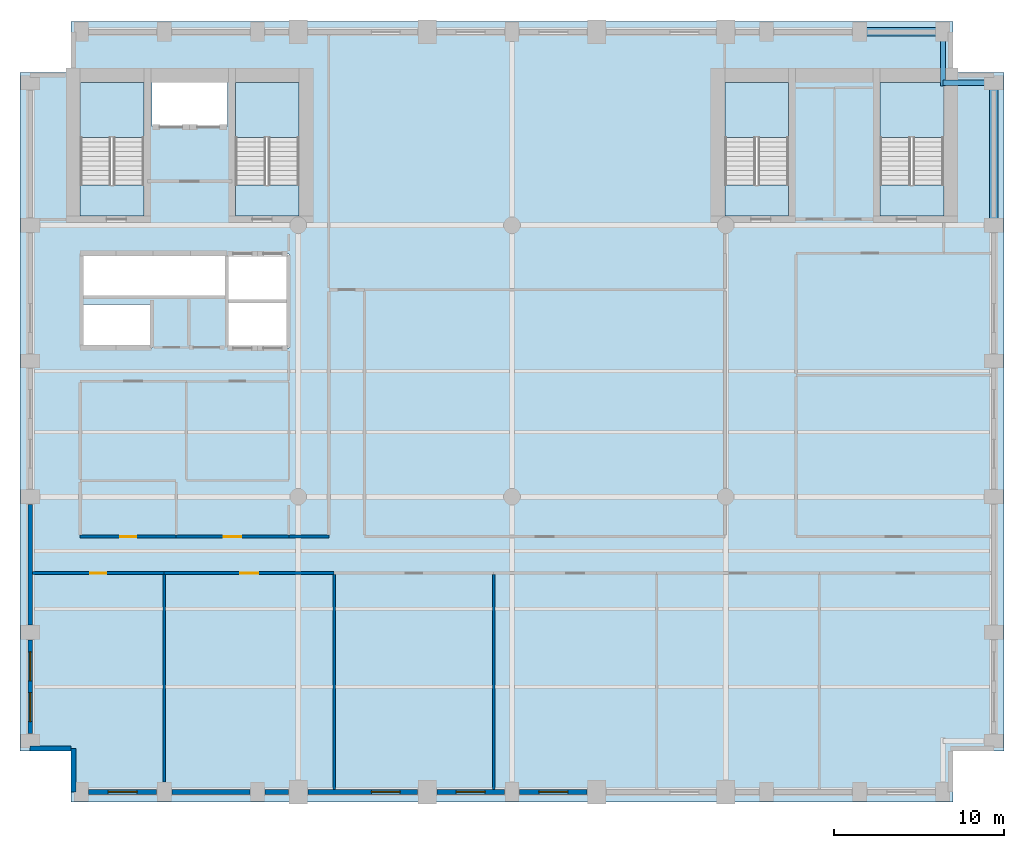
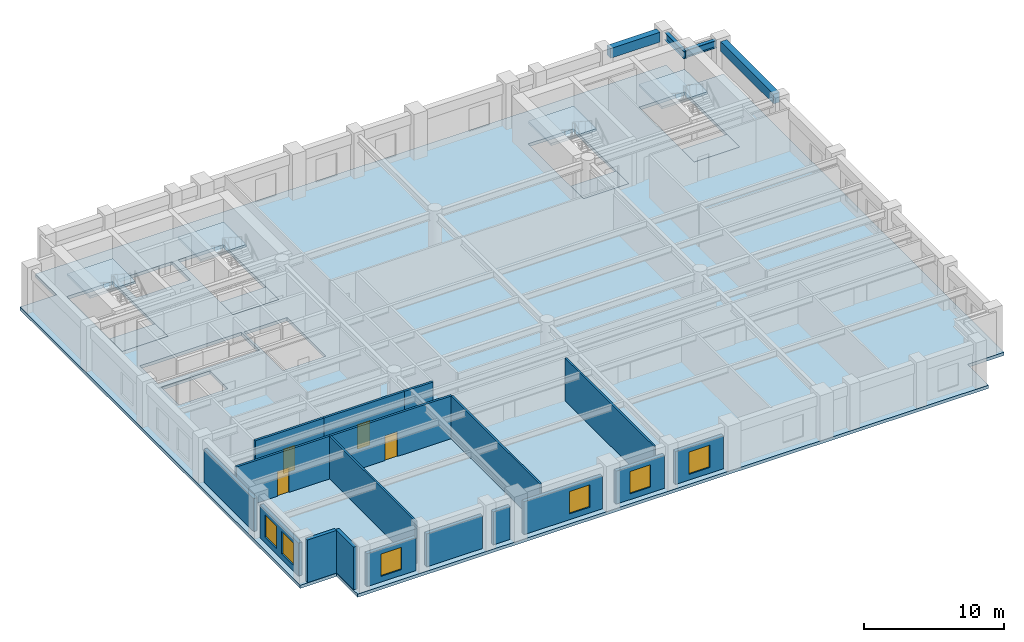
# One storey, part 2 of 8: 18 walls, 9 slabs, 6 windows, 4 beams, 4 doors, 10 openings, 4 elements without a shape of their own.
"""IFC4 building model written with IfcOpenShell, lengths in metres."""

from ifc_helpers import new_model, si_unit, direction, frame, frame_2d, origin, origin_2d, place, context, subcontext, project, spatial, polyline, rectangle, i_section, outline, extrude, material, layer, layer_set, material_profile, profile_set, type_object, element, fill, aggregate, save


model = new_model("IFC4")

# Units and contexts
model_context = context("Model", 3, precision=1e-05, world=origin(), true_north=direction((0.0, 1.0)))
body_context = subcontext(model_context, "Body", "Model", "MODEL_VIEW")
ifc_project = project(units=[si_unit("LENGTHUNIT", "METRE"), si_unit("AREAUNIT", "SQUARE_METRE"), si_unit("VOLUMEUNIT", "CUBIC_METRE"), si_unit("PLANEANGLEUNIT", "RADIAN"), si_unit("MASSUNIT", "GRAM", prefix="KILO")], contexts=[model_context])

# Site, building, storey
site_placement = place(None, origin())
site = spatial("IfcSite", under=ifc_project, at=site_placement, CompositionType="ELEMENT")
building_placement = place(site_placement, origin())
building = spatial("IfcBuilding", under=site, at=building_placement, Name="Sulina Concourse Tower", CompositionType="ELEMENT")
storey_placement = place(building_placement, frame((0.0, 0.0, 104.60009765625)))
storey = spatial("IfcBuildingStorey", under=building, at=storey_placement, Name="L25", CompositionType="ELEMENT", Elevation=104.60009765625)

# Beams
ifc_material_1 = material(Name="Steel S355", Category="steel")
ifc_material_profile_1 = material_profile(ifc_material_1, i_section(OverallWidth=0.300048828125, OverallDepth=0.64990234375, WebThickness=0.01611328125, FlangeThickness=0.031005859375, at=origin_2d()), Name="HE 650 B")
ifc_profile_set_1 = profile_set([ifc_material_profile_1], Name="Steel S355")
beam_type_1 = type_object("IfcBeamType", Name="Floor Primary Girder Zone 2 HE650B", PredefinedType="BEAM", material=ifc_profile_set_1)
beam_1_placement = place(storey_placement, frame((54.39990234375, 42.39990234375, 3.39990234375), z_axis=(1.0, 0.0, 0.0), x_axis=(0.0, 1.0, 0.0)))
element("IfcBeam", 1, at=beam_1_placement, inside=storey, type_object=beam_type_1, Name="TIE-NE-L25", PredefinedType="BEAM", context=body_context, shape_type="SweptSolid", body=[
    extrude(i_section(OverallWidth=0.300048828125, OverallDepth=0.64990234375, WebThickness=0.01611328125, FlangeThickness=0.031005859375, at=origin_2d()), origin(), (0.0, 0.0, 1.0), 2.59521484375),
])
beam_2_placement = place(storey_placement, frame((54.39990234375, 42.199951171875, 3.39990234375), z_axis=(0.0, 1.0, 0.0), x_axis=(-1.0, 0.0, 0.0)))
element("IfcBeam", 2, at=beam_2_placement, inside=storey, type_object=beam_type_1, Name="TIE-NEN-L25", PredefinedType="BEAM", context=body_context, shape_type="SweptSolid", body=[
    extrude(i_section(OverallWidth=0.300048828125, OverallDepth=0.64990234375, WebThickness=0.01611328125, FlangeThickness=0.031005859375, at=origin_2d()), origin(), (0.0, 0.0, 1.0), 2.795166015625),
])
ifc_material_2 = material(Name="Precast concrete C50/60", Category="concrete")
ifc_material_profile_2 = material_profile(ifc_material_2, rectangle(XDim=0.5, YDim=0.85009765625, at=origin_2d()), Name="RC 500x850")
ifc_profile_set_2 = profile_set([ifc_material_profile_2], Name="Precast concrete C50/60")
beam_type_2 = type_object("IfcBeamType", Name="Lower Precast Spandrel Edge Beam 500x850", PredefinedType="BEAM", material=ifc_profile_set_2)
beam_3_placement = place(storey_placement, frame((49.905029296875, 45.39990234375, 3.2998046875), z_axis=(1.0, 0.0, 0.0), x_axis=(0.0, 1.0, 0.0)))
element("IfcBeam", 3, at=beam_3_placement, inside=storey, type_object=beam_type_2, Name="SP-N10-L25", PredefinedType="BEAM", context=body_context, shape_type="SweptSolid", body=[
    extrude(rectangle(XDim=0.5, YDim=0.85009765625, at=origin_2d()), origin(), (0.0, 0.0, 1.0), 4.090087890625),
])
beam_4_placement = place(storey_placement, frame((57.39990234375, 34.405029296875, 3.2998046875), z_axis=(0.0, 1.0, 0.0), x_axis=(-1.0, 0.0, 0.0)))
element("IfcBeam", 4, at=beam_4_placement, inside=storey, type_object=beam_type_2, Name="SP-E5-L25", PredefinedType="BEAM", context=body_context, shape_type="SweptSolid", body=[
    extrude(rectangle(XDim=0.5, YDim=0.85009765625, at=origin_2d()), origin(), (0.0, 0.0, 1.0), 7.590087890625),
])

# Slabs
ifc_material_3 = material(Name="Concrete C50/60", Category="concrete")
ifc_layer_1 = layer(ifc_material_3, 0.27490234375)
ifc_layer_set_1 = layer_set([ifc_layer_1], Name="Concrete C50/60")
slab_type_1 = type_object("IfcSlabType", Name="Mid-Rise Composite Floor Slab 275mm", PredefinedType="FLOOR", material=ifc_layer_set_1)
slab_1_placement = place(storey_placement, frame((0.0, 0.0, -0.275146484375)))
element("IfcSlab", 5, at=slab_1_placement, inside=storey, type_object=slab_type_1, Name="L25 structural floor slab", PredefinedType="FLOOR", context=body_context, shape_type="SweptSolid", body=[
    extrude(outline(polyline([(3.0, 0.0), (55.0, 0.0), (55.0, 3.0), (58.0, 3.0), (58.0, 43.0), (55.0, 43.0), (55.0, 46.0), (3.0, 46.0), (3.0, 43.0), (0.0, 43.0), (0.0, 3.0), (3.0, 3.0), (3.0, 0.0)]), holes=[polyline([(7.31005859375, 34.550048828125), (7.31005859375, 42.429931640625), (3.550048828125, 42.429931640625), (3.550048828125, 34.550048828125), (7.31005859375, 34.550048828125)]), polyline([(16.449951171875, 34.550048828125), (16.449951171875, 42.429931640625), (12.68994140625, 42.429931640625), (12.68994140625, 34.550048828125), (16.449951171875, 34.550048828125)]), polyline([(45.31005859375, 34.550048828125), (45.31005859375, 42.429931640625), (41.550048828125, 42.429931640625), (41.550048828125, 34.550048828125), (45.31005859375, 34.550048828125)]), polyline([(54.449951171875, 34.550048828125), (54.449951171875, 42.429931640625), (50.68994140625, 42.429931640625), (50.68994140625, 34.550048828125), (54.449951171875, 34.550048828125)]), polyline([(7.780029296875, 39.830078125), (12.219970703125, 39.830078125), (12.219970703125, 42.449951171875), (7.780029296875, 42.449951171875), (7.780029296875, 39.830078125)]), polyline([(3.739990234375, 26.780029296875), (7.77001953125, 26.780029296875), (7.77001953125, 29.320068359375), (3.739990234375, 29.320068359375), (3.739990234375, 26.780029296875)]), polyline([(3.739990234375, 29.780029296875), (12.10009765625, 29.780029296875), (12.10009765625, 32.3701171875), (3.739990234375, 32.3701171875), (3.739990234375, 29.780029296875)]), polyline([(12.280029296875, 26.780029296875), (15.85009765625, 26.780029296875), (15.85009765625, 32.320068359375), (12.280029296875, 32.320068359375), (12.280029296875, 26.780029296875)])]), origin(), (0.0, 0.0, 1.0), 0.275146484375),
])
ifc_material_4 = material(Name="Concrete C50/60", Category="concrete")
ifc_layer_2 = layer(ifc_material_4, 0.199951171875)
ifc_layer_set_2 = layer_set([ifc_layer_2], Name="Concrete C50/60")
slab_type_2 = type_object("IfcSlabType", Name="Primary Core Stair Landing Slab 200mm", PredefinedType="LANDING", material=ifc_layer_set_2)
slab_2_placement = place(storey_placement, frame((0.0, 0.0, -0.2001953125)))
element("IfcSlab", 6, at=slab_2_placement, inside=storey, type_object=slab_type_2, Name="L25 ST-1 floor landing slab", PredefinedType="LANDING", context=body_context, shape_type="SweptSolid", body=[
    extrude(outline(polyline([(7.31005859375, 34.550048828125), (7.31005859375, 36.375), (3.550048828125, 36.375), (3.550048828125, 34.550048828125), (7.31005859375, 34.550048828125)])), origin(), (0.0, 0.0, 1.0), 0.2001953125),
])
slab_3_placement = place(storey_placement, frame((0.0, 0.0, -0.2001953125)))
element("IfcSlab", 7, at=slab_3_placement, inside=storey, type_object=slab_type_2, Name="L25 ST-2 floor landing slab", PredefinedType="LANDING", context=body_context, shape_type="SweptSolid", body=[
    extrude(outline(polyline([(16.449951171875, 34.550048828125), (16.449951171875, 36.375), (12.68994140625, 36.375), (12.68994140625, 34.550048828125), (16.449951171875, 34.550048828125)])), origin(), (0.0, 0.0, 1.0), 0.2001953125),
])
slab_4_placement = place(storey_placement, frame((0.0, 0.0, -0.2001953125)))
element("IfcSlab", 8, at=slab_4_placement, inside=storey, type_object=slab_type_2, Name="L25 ST-3 floor landing slab", PredefinedType="LANDING", context=body_context, shape_type="SweptSolid", body=[
    extrude(outline(polyline([(45.31005859375, 34.550048828125), (45.31005859375, 36.375), (41.550048828125, 36.375), (41.550048828125, 34.550048828125), (45.31005859375, 34.550048828125)])), origin(), (0.0, 0.0, 1.0), 0.2001953125),
])
slab_5_placement = place(storey_placement, frame((0.0, 0.0, -0.2001953125)))
element("IfcSlab", 9, at=slab_5_placement, inside=storey, type_object=slab_type_2, Name="L25 ST-4 floor landing slab", PredefinedType="LANDING", context=body_context, shape_type="SweptSolid", body=[
    extrude(outline(polyline([(54.449951171875, 34.550048828125), (54.449951171875, 36.375), (50.68994140625, 36.375), (50.68994140625, 34.550048828125), (54.449951171875, 34.550048828125)])), origin(), (0.0, 0.0, 1.0), 0.2001953125),
])

# Stair, slab
ifc_material_5 = material(Name="Concrete C50/60", Category="concrete")
stair_type_1 = type_object("IfcStairType", Name="Primary Core Dog-Leg Exit Stair 1800mm", PredefinedType="HALF_TURN_STAIR", material=ifc_material_5)
stair_1_placement = place(storey_placement, origin())
stair_1 = element("IfcStair", 10, at=stair_1_placement, inside=storey, type_object=stair_type_1, Name="L25 ST-1", PredefinedType="HALF_TURN_STAIR")
slab_6_placement = place(storey_placement, frame((0.0, 0.0, 1.7998046875)))
slab_6 = element("IfcSlab", 11, at=slab_6_placement, type_object=slab_type_2, Name="ST-1 landing 1", PredefinedType="LANDING", context=body_context, shape_type="SweptSolid", body=[
    extrude(outline(polyline([(7.304931640625, 39.175048828125), (7.304931640625, 42.425048828125), (3.554931640625, 42.425048828125), (3.554931640625, 39.175048828125), (7.304931640625, 39.175048828125)])), origin(), (0.0, 0.0, 1.0), 0.2001953125),
])
aggregate(stair_1, [slab_6])

stair_2_placement = place(storey_placement, origin())
stair_2 = element("IfcStair", 12, at=stair_2_placement, inside=storey, type_object=stair_type_1, Name="L25 ST-2", PredefinedType="HALF_TURN_STAIR")
slab_7_placement = place(storey_placement, frame((0.0, 0.0, 1.7998046875)))
slab_7 = element("IfcSlab", 13, at=slab_7_placement, type_object=slab_type_2, Name="ST-2 landing 1", PredefinedType="LANDING", context=body_context, shape_type="SweptSolid", body=[
    extrude(outline(polyline([(16.445068359375, 39.175048828125), (16.445068359375, 42.425048828125), (12.695068359375, 42.425048828125), (12.695068359375, 39.175048828125), (16.445068359375, 39.175048828125)])), origin(), (0.0, 0.0, 1.0), 0.2001953125),
])
aggregate(stair_2, [slab_7])

ifc_material_6 = material(Name="Concrete C50/60", Category="concrete")
stair_type_2 = type_object("IfcStairType", Name="Portal & Podium Core Exit Stair 1820mm", PredefinedType="HALF_TURN_STAIR", material=ifc_material_6)
stair_3_placement = place(storey_placement, origin())
stair_3 = element("IfcStair", 14, at=stair_3_placement, inside=storey, type_object=stair_type_2, Name="L25 ST-3", PredefinedType="HALF_TURN_STAIR")
slab_8_placement = place(storey_placement, frame((0.0, 0.0, 1.7998046875)))
slab_8 = element("IfcSlab", 15, at=slab_8_placement, type_object=slab_type_2, Name="ST-3 landing 1", PredefinedType="LANDING", context=body_context, shape_type="SweptSolid", body=[
    extrude(outline(polyline([(45.304931640625, 39.175048828125), (45.304931640625, 42.425048828125), (41.554931640625, 42.425048828125), (41.554931640625, 39.175048828125), (45.304931640625, 39.175048828125)])), origin(), (0.0, 0.0, 1.0), 0.2001953125),
])
aggregate(stair_3, [slab_8])

stair_4_placement = place(storey_placement, origin())
stair_4 = element("IfcStair", 16, at=stair_4_placement, inside=storey, type_object=stair_type_2, Name="L25 ST-4", PredefinedType="HALF_TURN_STAIR")
slab_9_placement = place(storey_placement, frame((0.0, 0.0, 1.7998046875)))
slab_9 = element("IfcSlab", 17, at=slab_9_placement, type_object=slab_type_2, Name="ST-4 landing 1", PredefinedType="LANDING", context=body_context, shape_type="SweptSolid", body=[
    extrude(outline(polyline([(54.445068359375, 39.175048828125), (54.445068359375, 42.425048828125), (50.695068359375, 42.425048828125), (50.695068359375, 39.175048828125), (54.445068359375, 39.175048828125)])), origin(), (0.0, 0.0, 1.0), 0.2001953125),
])
aggregate(stair_4, [slab_9])

# Walls
ifc_material_7 = material(Name="Gypsum board on steel stud", Category="steel")
ifc_layer_3 = layer(ifc_material_7, 0.14990234375)
ifc_layer_set_3 = layer_set([ifc_layer_3], Name="Gypsum board on steel stud")
wall_type_1 = type_object("IfcWallType", Name="Inter-Tenancy Acoustic Partition 150mm", PredefinedType="PARTITIONING", material=ifc_layer_set_3)
wall_1_placement = place(storey_placement, frame((8.5, 1.175048828125, 0.0), z_axis=(0.0, 0.0, 1.0), x_axis=(0.0, 1.0, 0.0)))
element("IfcWall", 18, at=wall_1_placement, inside=storey, type_object=wall_type_1, Name="L25 interior partition 028", PredefinedType="PARTITIONING", context=body_context, shape_type="SweptSolid", body=[
    extrude(rectangle(XDim=12.23486328125, YDim=0.14990234375, at=frame_2d((6.117431640625, 0.0))), origin(), (0.0, 0.0, 1.0), 3.724853515625),
])
for number, where, z_axis, x_axis, name in (
    (19, (18.52001953125, 0.739990234375, 0.0), (0.0, 0.0, 1.0), (0.0, 1.0, 0.0), "L25 interior partition 038"),
    (20, (27.919921875, 0.739990234375, 0.0), (0.0, 0.0, 1.0), (0.0, 1.0, 0.0), "L25 interior partition 040"),
):
    element("IfcWall", number, at=place(storey_placement, frame(where, z_axis=z_axis, x_axis=x_axis)), inside=storey, type_object=wall_type_1, Name=name, PredefinedType="PARTITIONING", context=body_context, shape_type="SweptSolid", body=[
        extrude(rectangle(XDim=12.669921875, YDim=0.14990234375, at=frame_2d((6.3349609375, 0.0))), origin(), (0.0, 0.0, 1.0), 3.724853515625),
    ])

# Wall, opening, door
ifc_material_8 = material(Name="Gypsum board on steel stud", Category="steel")
ifc_layer_4 = layer(ifc_material_8, 0.179931640625)
ifc_layer_set_4 = layer_set([ifc_layer_4], Name="Gypsum board on steel stud")
wall_type_2 = type_object("IfcWallType", Name="Protected Corridor & Riser Partition 180mm", PredefinedType="PARTITIONING", material=ifc_layer_set_4)
wall_2_placement = place(storey_placement, frame((0.739990234375, 13.5, 0.0), z_axis=(0.0, 0.0, 1.0), x_axis=(1.0, 0.0, 0.0)))
wall_2 = element("IfcWall", 21, at=wall_2_placement, inside=storey, type_object=wall_type_2, Name="L25 interior partition 001", PredefinedType="PARTITIONING", context=body_context, shape_type="SweptSolid", body=[
    extrude(rectangle(XDim=7.760009765625, YDim=0.179931640625, at=frame_2d((3.8798828125, 0.0))), origin(), (0.0, 0.0, 1.0), 3.724853515625),
])
opening_1_placement = place(wall_2_placement, frame((3.405029296875, 0.0, 0.0)))
opening_1 = element("IfcOpeningElement", 22, at=opening_1_placement, cuts=wall_2, Name="Opening DR-19", PredefinedType="OPENING", context=body_context, shape_type="SweptSolid", body=[
    extrude(rectangle(XDim=0.949951171875, YDim=2.14990234375, at=frame_2d((0.47509765625, 1.074951171875))), frame((0.0, 0.099853515625, 0.0), z_axis=(0.0, -1.0, 0.0), x_axis=(1.0, 0.0, 0.0)), (0.0, 0.0, 1.0), 0.199951171875),
])
ifc_material_9 = material(Name="Oak-veneered acoustic timber leaf", Category="wood")
ifc_layer_5 = layer(ifc_material_9, 0.050048828125)
ifc_layer_set_5 = layer_set([ifc_layer_5], Name="Oak-veneered acoustic timber leaf")
door_type_1 = type_object("IfcDoorType", Name="Cellular Office & Meeting Door 950x2150", OperationType="NOTDEFINED", PredefinedType="DOOR", material=ifc_layer_set_5)
door_1_placement = place(opening_1_placement, origin())
door_1 = element("IfcDoor", 23, at=door_1_placement, inside=storey, type_object=door_type_1, Name="L25 interior door L25-S01", OperationType="SINGLE_SWING_LEFT", OverallHeight=2.14990234375, OverallWidth=0.949951171875, PredefinedType="DOOR", context=body_context, shape_type="SweptSolid", body=[
    extrude(rectangle(XDim=0.949951171875, YDim=2.14990234375, at=frame_2d((0.47509765625, 1.074951171875))), frame((0.0, 0.02490234375, 0.0), z_axis=(0.0, -1.0, 0.0), x_axis=(1.0, 0.0, 0.0)), (0.0, 0.0, 1.0), 0.050048828125),
])
fill(opening_1, door_1)

wall_3_placement = place(storey_placement, frame((8.5, 13.5, 0.0), z_axis=(0.0, 0.0, 1.0), x_axis=(1.0, 0.0, 0.0)))
wall_3 = element("IfcWall", 24, at=wall_3_placement, inside=storey, type_object=wall_type_2, Name="L25 interior partition 002", PredefinedType="PARTITIONING", context=body_context, shape_type="SweptSolid", body=[
    extrude(rectangle(XDim=10.02001953125, YDim=0.179931640625, at=frame_2d((5.010009765625, 0.0))), origin(), (0.0, 0.0, 1.0), 3.724853515625),
])
opening_2_placement = place(wall_3_placement, frame((4.485107421875, 0.0, 0.0)))
opening_2 = element("IfcOpeningElement", 25, at=opening_2_placement, cuts=wall_3, Name="Opening DR-37", PredefinedType="OPENING", context=body_context, shape_type="SweptSolid", body=[
    extrude(rectangle(XDim=1.050048828125, YDim=2.14990234375, at=frame_2d((0.52490234375, 1.074951171875))), frame((0.0, 0.099853515625, 0.0), z_axis=(0.0, -1.0, 0.0), x_axis=(1.0, 0.0, 0.0)), (0.0, 0.0, 1.0), 0.199951171875),
])
ifc_material_10 = material(Name="Oak-veneered fire door leaf")
ifc_layer_6 = layer(ifc_material_10, 0.050048828125)
ifc_layer_set_6 = layer_set([ifc_layer_6], Name="Oak-veneered fire door leaf")
door_type_2 = type_object("IfcDoorType", Name="Tenant Suite Entrance Fire Door 1050x2150", OperationType="NOTDEFINED", PredefinedType="DOOR", material=ifc_layer_set_6)
door_2_placement = place(opening_2_placement, origin())
door_2 = element("IfcDoor", 26, at=door_2_placement, inside=storey, type_object=door_type_2, Name="L25 interior door L25-S02", OperationType="SINGLE_SWING_RIGHT", OverallHeight=2.14990234375, OverallWidth=1.050048828125, PredefinedType="DOOR", context=body_context, shape_type="SweptSolid", body=[
    extrude(rectangle(XDim=1.050048828125, YDim=2.14990234375, at=frame_2d((0.52490234375, 1.074951171875))), frame((0.0, 0.02490234375, 0.0), z_axis=(0.0, -1.0, 0.0), x_axis=(1.0, 0.0, 0.0)), (0.0, 0.0, 1.0), 0.050048828125),
])
fill(opening_2, door_2)

wall_4_placement = place(storey_placement, frame((3.550048828125, 15.64990234375, 0.0), z_axis=(0.0, 0.0, 1.0), x_axis=(1.0, 0.0, 0.0)))
wall_4 = element("IfcWall", 27, at=wall_4_placement, inside=storey, type_object=wall_type_2, Name="L25 interior partition 007", PredefinedType="PARTITIONING", context=body_context, shape_type="SweptSolid", body=[
    extrude(rectangle(XDim=5.64990234375, YDim=0.179931640625, at=frame_2d((2.824951171875, 0.0))), origin(), (0.0, 0.0, 1.0), 3.724853515625),
])
opening_3_placement = place(wall_4_placement, frame((2.35009765625, 0.0, 0.0)))
opening_3 = element("IfcOpeningElement", 28, at=opening_3_placement, cuts=wall_4, Name="Opening DR-19", PredefinedType="OPENING", context=body_context, shape_type="SweptSolid", body=[
    extrude(rectangle(XDim=0.949951171875, YDim=2.14990234375, at=frame_2d((0.47509765625, 1.074951171875))), frame((0.0, 0.099853515625, 0.0), z_axis=(0.0, -1.0, 0.0), x_axis=(1.0, 0.0, 0.0)), (0.0, 0.0, 1.0), 0.199951171875),
])
door_3_placement = place(opening_3_placement, origin())
door_3 = element("IfcDoor", 29, at=door_3_placement, inside=storey, type_object=door_type_1, Name="L25 interior door L25-WSB-1", OperationType="SINGLE_SWING_LEFT", OverallHeight=2.14990234375, OverallWidth=0.949951171875, PredefinedType="DOOR", context=body_context, shape_type="SweptSolid", body=[
    extrude(rectangle(XDim=0.949951171875, YDim=2.14990234375, at=frame_2d((0.47509765625, 1.074951171875))), frame((0.0, 0.02490234375, 0.0), z_axis=(0.0, -1.0, 0.0), x_axis=(1.0, 0.0, 0.0)), (0.0, 0.0, 1.0), 0.050048828125),
])
fill(opening_3, door_3)

wall_5_placement = place(storey_placement, frame((9.199951171875, 15.64990234375, 0.0), z_axis=(0.0, 0.0, 1.0), x_axis=(1.0, 0.0, 0.0)))
wall_5 = element("IfcWall", 30, at=wall_5_placement, inside=storey, type_object=wall_type_2, Name="L25 interior partition 008", PredefinedType="PARTITIONING", context=body_context, shape_type="SweptSolid", body=[
    extrude(rectangle(XDim=6.650146484375, YDim=0.179931640625, at=frame_2d((3.3251953125, 0.0))), origin(), (0.0, 0.0, 1.0), 3.724853515625),
])
opening_4_placement = place(wall_5_placement, frame((2.800048828125, 0.0, 0.0)))
opening_4 = element("IfcOpeningElement", 31, at=opening_4_placement, cuts=wall_5, Name="Opening DR-37", PredefinedType="OPENING", context=body_context, shape_type="SweptSolid", body=[
    extrude(rectangle(XDim=1.050048828125, YDim=2.14990234375, at=frame_2d((0.52490234375, 1.074951171875))), frame((0.0, 0.099853515625, 0.0), z_axis=(0.0, -1.0, 0.0), x_axis=(1.0, 0.0, 0.0)), (0.0, 0.0, 1.0), 0.199951171875),
])
door_4_placement = place(opening_4_placement, origin())
door_4 = element("IfcDoor", 32, at=door_4_placement, inside=storey, type_object=door_type_2, Name="L25 interior door L25-WSB-2", OperationType="SINGLE_SWING_RIGHT", OverallHeight=2.14990234375, OverallWidth=1.050048828125, PredefinedType="DOOR", context=body_context, shape_type="SweptSolid", body=[
    extrude(rectangle(XDim=1.050048828125, YDim=2.14990234375, at=frame_2d((0.52490234375, 1.074951171875))), frame((0.0, 0.02490234375, 0.0), z_axis=(0.0, -1.0, 0.0), x_axis=(1.0, 0.0, 0.0)), (0.0, 0.0, 1.0), 0.050048828125),
])
fill(opening_4, door_4)

# Wall
wall_6_placement = place(storey_placement, frame((15.85009765625, 15.64990234375, 0.0), z_axis=(0.0, 0.0, 1.0), x_axis=(1.0, 0.0, 0.0)))
element("IfcWall", 33, at=wall_6_placement, inside=storey, type_object=wall_type_2, Name="L25 interior partition 009", PredefinedType="PARTITIONING", context=body_context, shape_type="SweptSolid", body=[
    extrude(rectangle(XDim=2.349853515625, YDim=0.179931640625, at=frame_2d((1.1748046875, 0.0))), origin(), (0.0, 0.0, 1.0), 3.724853515625),
])

# Wall, opening, window
ifc_material_11 = material(Name="Precast concrete C50/60", Category="concrete")
ifc_layer_7 = layer(ifc_material_11, 0.280029296875)
ifc_layer_set_7 = layer_set([ifc_layer_7], Name="Precast concrete C50/60")
wall_type_3 = type_object("IfcWallType", Name="Typical Precast Masonry-Frame Facade Wall 280mm", PredefinedType="SOLIDWALL", material=ifc_layer_set_7)
wall_7_placement = place(storey_placement, frame((8.054931640625, 0.60009765625, 0.0), z_axis=(0.0, 0.0, 1.0), x_axis=(-1.0, 0.0, 0.0)))
wall_7 = element("IfcWall", 34, at=wall_7_placement, inside=storey, type_object=wall_type_3, Name="L25 exterior precast wall S1", PredefinedType="SOLIDWALL", context=body_context, shape_type="SweptSolid", body=[
    extrude(rectangle(XDim=4.010009765625, YDim=0.280029296875, at=frame_2d((2.0048828125, 0.0))), origin(), (0.0, 0.0, 1.0), 2.875),
])
opening_5_placement = place(wall_7_placement, frame((1.155029296875, 0.0, 0.5)))
opening_5 = element("IfcOpeningElement", 35, at=opening_5_placement, cuts=wall_7, Name="Opening WN-66", PredefinedType="OPENING", context=body_context, shape_type="SweptSolid", body=[
    extrude(rectangle(XDim=1.699951171875, YDim=1.949951171875, at=frame_2d((0.85009765625, 0.97509765625))), frame((0.0, 0.14990234375, 0.0), z_axis=(0.0, -1.0, 0.0), x_axis=(1.0, 0.0, 0.0)), (0.0, 0.0, 1.0), 0.300048828125),
])
ifc_material_12 = material(Name="Low-E solar double glazing in bronze aluminium", Category="aluminium")
window_type = type_object("IfcWindowType", Name="Recessed Spandrel Window 1700x1950", PartitioningType="SINGLE_PANEL", PredefinedType="WINDOW", material=ifc_material_12)
window_1_placement = place(opening_5_placement, origin())
window_1 = element("IfcWindow", 36, at=window_1_placement, inside=storey, type_object=window_type, Name="L25 punched window S1-1", OverallHeight=1.949951171875, OverallWidth=1.699951171875, PartitioningType="SINGLE_PANEL", PredefinedType="WINDOW", context=body_context, shape_type="SweptSolid", body=[
    extrude(rectangle(XDim=1.699951171875, YDim=1.949951171875, at=frame_2d((0.85009765625, 0.97509765625))), frame((0.0, 0.030029296875, 0.0), z_axis=(0.0, -1.0, 0.0), x_axis=(1.0, 0.0, 0.0)), (0.0, 0.0, 1.0), 0.06005859375),
])
fill(opening_5, window_1)

# Walls
wall_8_placement = place(storey_placement, frame((13.554931640625, 0.60009765625, 0.0), z_axis=(0.0, 0.0, 1.0), x_axis=(-1.0, 0.0, 0.0)))
element("IfcWall", 37, at=wall_8_placement, inside=storey, type_object=wall_type_3, Name="L25 exterior precast wall S2", PredefinedType="SOLIDWALL", context=body_context, shape_type="SweptSolid", body=[
    extrude(rectangle(XDim=4.60986328125, YDim=0.280029296875, at=frame_2d((2.304931640625, 0.0))), origin(), (0.0, 0.0, 1.0), 2.875),
])
wall_9_placement = place(storey_placement, frame((15.830078125, 0.60009765625, 0.0), z_axis=(0.0, 0.0, 1.0), x_axis=(-1.0, 0.0, 0.0)))
element("IfcWall", 38, at=wall_9_placement, inside=storey, type_object=wall_type_3, Name="L25 exterior precast wall S3", PredefinedType="SOLIDWALL", context=body_context, shape_type="SweptSolid", body=[
    extrude(rectangle(XDim=1.385009765625, YDim=0.280029296875, at=frame_2d((0.6923828125, 0.0))), origin(), (0.0, 0.0, 1.0), 2.875),
])

# Wall, opening, window
wall_10_placement = place(storey_placement, frame((23.429931640625, 0.60009765625, 0.0), z_axis=(0.0, 0.0, 1.0), x_axis=(-1.0, 0.0, 0.0)))
wall_10 = element("IfcWall", 39, at=wall_10_placement, inside=storey, type_object=wall_type_3, Name="L25 exterior precast wall S4", PredefinedType="SOLIDWALL", context=body_context, shape_type="SweptSolid", body=[
    extrude(rectangle(XDim=6.4599609375, YDim=0.280029296875, at=frame_2d((3.22998046875, 0.0))), origin(), (0.0, 0.0, 1.0), 2.875),
])
opening_6_placement = place(wall_10_placement, frame((1.02001953125, 0.0, 0.5)))
opening_6 = element("IfcOpeningElement", 40, at=opening_6_placement, cuts=wall_10, Name="Opening WN-66", PredefinedType="OPENING", context=body_context, shape_type="SweptSolid", body=[
    extrude(rectangle(XDim=1.699951171875, YDim=1.949951171875, at=frame_2d((0.85009765625, 0.97509765625))), frame((0.0, 0.14990234375, 0.0), z_axis=(0.0, -1.0, 0.0), x_axis=(1.0, 0.0, 0.0)), (0.0, 0.0, 1.0), 0.300048828125),
])
window_2_placement = place(opening_6_placement, origin())
window_2 = element("IfcWindow", 41, at=window_2_placement, inside=storey, type_object=window_type, Name="L25 punched window S4-1", OverallHeight=1.949951171875, OverallWidth=1.699951171875, PartitioningType="SINGLE_PANEL", PredefinedType="WINDOW", context=body_context, shape_type="SweptSolid", body=[
    extrude(rectangle(XDim=1.699951171875, YDim=1.949951171875, at=frame_2d((0.85009765625, 0.97509765625))), frame((0.0, 0.030029296875, 0.0), z_axis=(0.0, -1.0, 0.0), x_axis=(1.0, 0.0, 0.0)), (0.0, 0.0, 1.0), 0.06005859375),
])
fill(opening_6, window_2)

wall_11_placement = place(storey_placement, frame((28.554931640625, 0.60009765625, 0.0), z_axis=(0.0, 0.0, 1.0), x_axis=(-1.0, 0.0, 0.0)))
wall_11 = element("IfcWall", 42, at=wall_11_placement, inside=storey, type_object=wall_type_3, Name="L25 exterior precast wall S5", PredefinedType="SOLIDWALL", context=body_context, shape_type="SweptSolid", body=[
    extrude(rectangle(XDim=3.98486328125, YDim=0.280029296875, at=frame_2d((1.992431640625, 0.0))), origin(), (0.0, 0.0, 1.0), 2.875),
])
opening_7_placement = place(wall_11_placement, frame((1.142578125, 0.0, 0.5)))
opening_7 = element("IfcOpeningElement", 43, at=opening_7_placement, cuts=wall_11, Name="Opening WN-66", PredefinedType="OPENING", context=body_context, shape_type="SweptSolid", body=[
    extrude(rectangle(XDim=1.699951171875, YDim=1.949951171875, at=frame_2d((0.85009765625, 0.97509765625))), frame((0.0, 0.14990234375, 0.0), z_axis=(0.0, -1.0, 0.0), x_axis=(1.0, 0.0, 0.0)), (0.0, 0.0, 1.0), 0.300048828125),
])
window_3_placement = place(opening_7_placement, origin())
window_3 = element("IfcWindow", 44, at=window_3_placement, inside=storey, type_object=window_type, Name="L25 punched window S5-1", OverallHeight=1.949951171875, OverallWidth=1.699951171875, PartitioningType="SINGLE_PANEL", PredefinedType="WINDOW", context=body_context, shape_type="SweptSolid", body=[
    extrude(rectangle(XDim=1.699951171875, YDim=1.949951171875, at=frame_2d((0.85009765625, 0.97509765625))), frame((0.0, 0.030029296875, 0.0), z_axis=(0.0, -1.0, 0.0), x_axis=(1.0, 0.0, 0.0)), (0.0, 0.0, 1.0), 0.06005859375),
])
fill(opening_7, window_3)

wall_12_placement = place(storey_placement, frame((33.429931640625, 0.60009765625, 0.0), z_axis=(0.0, 0.0, 1.0), x_axis=(-1.0, 0.0, 0.0)))
wall_12 = element("IfcWall", 45, at=wall_12_placement, inside=storey, type_object=wall_type_3, Name="L25 exterior precast wall S6", PredefinedType="SOLIDWALL", context=body_context, shape_type="SweptSolid", body=[
    extrude(rectangle(XDim=3.98486328125, YDim=0.280029296875, at=frame_2d((1.992431640625, 0.0))), origin(), (0.0, 0.0, 1.0), 2.875),
])
opening_8_placement = place(wall_12_placement, frame((1.142578125, 0.0, 0.5)))
opening_8 = element("IfcOpeningElement", 46, at=opening_8_placement, cuts=wall_12, Name="Opening WN-66", PredefinedType="OPENING", context=body_context, shape_type="SweptSolid", body=[
    extrude(rectangle(XDim=1.699951171875, YDim=1.949951171875, at=frame_2d((0.85009765625, 0.97509765625))), frame((0.0, 0.14990234375, 0.0), z_axis=(0.0, -1.0, 0.0), x_axis=(1.0, 0.0, 0.0)), (0.0, 0.0, 1.0), 0.300048828125),
])
window_4_placement = place(opening_8_placement, origin())
window_4 = element("IfcWindow", 47, at=window_4_placement, inside=storey, type_object=window_type, Name="L25 punched window S6-1", OverallHeight=1.949951171875, OverallWidth=1.699951171875, PartitioningType="SINGLE_PANEL", PredefinedType="WINDOW", context=body_context, shape_type="SweptSolid", body=[
    extrude(rectangle(XDim=1.699951171875, YDim=1.949951171875, at=frame_2d((0.85009765625, 0.97509765625))), frame((0.0, 0.030029296875, 0.0), z_axis=(0.0, -1.0, 0.0), x_axis=(1.0, 0.0, 0.0)), (0.0, 0.0, 1.0), 0.06005859375),
])
fill(opening_8, window_4)

# Wall, openings, windows
wall_13_placement = place(storey_placement, frame((0.60009765625, 4.044921875, 0.0), z_axis=(0.0, 0.0, 1.0), x_axis=(0.0, 1.0, 0.0)))
wall_13 = element("IfcWall", 48, at=wall_13_placement, inside=storey, type_object=wall_type_3, Name="L25 exterior precast wall W1", PredefinedType="SOLIDWALL", context=body_context, shape_type="SweptSolid", body=[
    extrude(rectangle(XDim=5.510009765625, YDim=0.280029296875, at=frame_2d((2.7548828125, 0.0))), origin(), (0.0, 0.0, 1.0), 2.875),
])
opening_9_placement = place(wall_13_placement, frame((0.703369140625, 0.0, 0.5)))
opening_9 = element("IfcOpeningElement", 49, at=opening_9_placement, cuts=wall_13, Name="Opening WN-66", PredefinedType="OPENING", context=body_context, shape_type="SweptSolid", body=[
    extrude(rectangle(XDim=1.699951171875, YDim=1.949951171875, at=frame_2d((0.85009765625, 0.97509765625))), frame((0.0, 0.14990234375, 0.0), z_axis=(0.0, -1.0, 0.0), x_axis=(1.0, 0.0, 0.0)), (0.0, 0.0, 1.0), 0.300048828125),
])
opening_10_placement = place(wall_13_placement, frame((3.106689453125, 0.0, 0.5)))
opening_10 = element("IfcOpeningElement", 50, at=opening_10_placement, cuts=wall_13, Name="Opening WN-66", PredefinedType="OPENING", context=body_context, shape_type="SweptSolid", body=[
    extrude(rectangle(XDim=1.699951171875, YDim=1.949951171875, at=frame_2d((0.85009765625, 0.97509765625))), frame((0.0, 0.14990234375, 0.0), z_axis=(0.0, -1.0, 0.0), x_axis=(1.0, 0.0, 0.0)), (0.0, 0.0, 1.0), 0.300048828125),
])
window_5_placement = place(opening_9_placement, origin())
window_5 = element("IfcWindow", 51, at=window_5_placement, inside=storey, type_object=window_type, Name="L25 punched window W1-1", OverallHeight=1.949951171875, OverallWidth=1.699951171875, PartitioningType="SINGLE_PANEL", PredefinedType="WINDOW", context=body_context, shape_type="SweptSolid", body=[
    extrude(rectangle(XDim=1.699951171875, YDim=1.949951171875, at=frame_2d((0.85009765625, 0.97509765625))), frame((0.0, 0.030029296875, 0.0), z_axis=(0.0, -1.0, 0.0), x_axis=(1.0, 0.0, 0.0)), (0.0, 0.0, 1.0), 0.06005859375),
])
fill(opening_9, window_5)
window_6_placement = place(opening_10_placement, origin())
window_6 = element("IfcWindow", 52, at=window_6_placement, inside=storey, type_object=window_type, Name="L25 punched window W1-2", OverallHeight=1.949951171875, OverallWidth=1.699951171875, PartitioningType="SINGLE_PANEL", PredefinedType="WINDOW", context=body_context, shape_type="SweptSolid", body=[
    extrude(rectangle(XDim=1.699951171875, YDim=1.949951171875, at=frame_2d((0.85009765625, 0.97509765625))), frame((0.0, 0.030029296875, 0.0), z_axis=(0.0, -1.0, 0.0), x_axis=(1.0, 0.0, 0.0)), (0.0, 0.0, 1.0), 0.06005859375),
])
fill(opening_10, window_6)

# Walls
wall_14_placement = place(storey_placement, frame((0.60009765625, 10.445068359375, 0.0), z_axis=(0.0, 0.0, 1.0), x_axis=(0.0, 1.0, 0.0)))
element("IfcWall", 53, at=wall_14_placement, inside=storey, type_object=wall_type_3, Name="L25 exterior precast wall W2", PredefinedType="SOLIDWALL", context=body_context, shape_type="SweptSolid", body=[
    extrude(rectangle(XDim=7.10986328125, YDim=0.280029296875, at=frame_2d((3.554931640625, 0.0))), origin(), (0.0, 0.0, 1.0), 2.875),
])
wall_15_placement = place(storey_placement, frame((3.155029296875, 0.60009765625, 0.0), z_axis=(0.0, 0.0, 1.0), x_axis=(0.0, 1.0, 0.0)))
element("IfcWall", 54, at=wall_15_placement, inside=storey, type_object=wall_type_3, Name="L25 exterior precast wall CSW1", PredefinedType="SOLIDWALL", context=body_context, shape_type="SweptSolid", body=[
    extrude(rectangle(XDim=2.554931640625, YDim=0.280029296875, at=frame_2d((1.27734375, 0.0))), origin(), (0.0, 0.0, 1.0), 3.724853515625),
])
wall_16_placement = place(storey_placement, frame((3.010009765625, 3.155029296875, 0.0), z_axis=(0.0, 0.0, 1.0), x_axis=(-1.0, 0.0, 0.0)))
element("IfcWall", 55, at=wall_16_placement, inside=storey, type_object=wall_type_3, Name="L25 exterior precast wall CSW2", PredefinedType="SOLIDWALL", context=body_context, shape_type="SweptSolid", body=[
    extrude(rectangle(XDim=2.409912109375, YDim=0.280029296875, at=frame_2d((1.205078125, 0.0))), origin(), (0.0, 0.0, 1.0), 3.724853515625),
])

save(model, "model.ifc")
